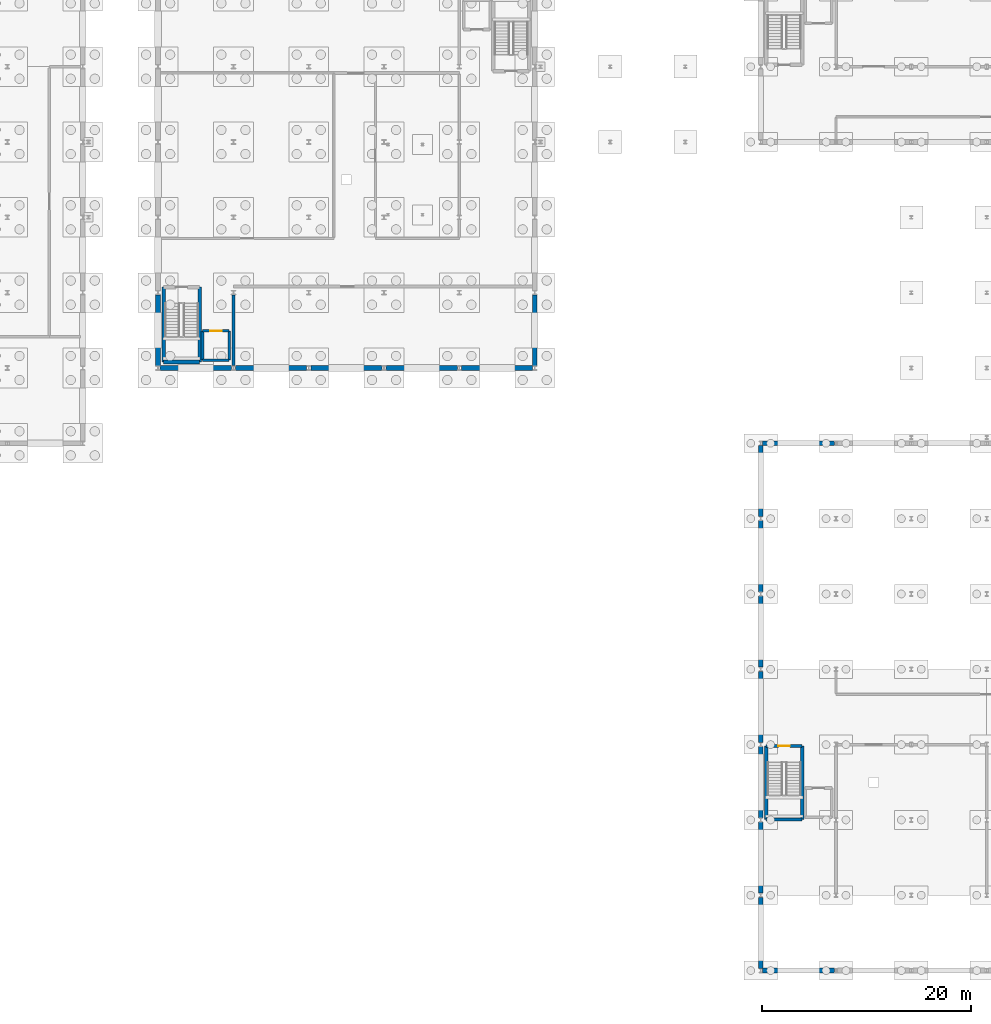
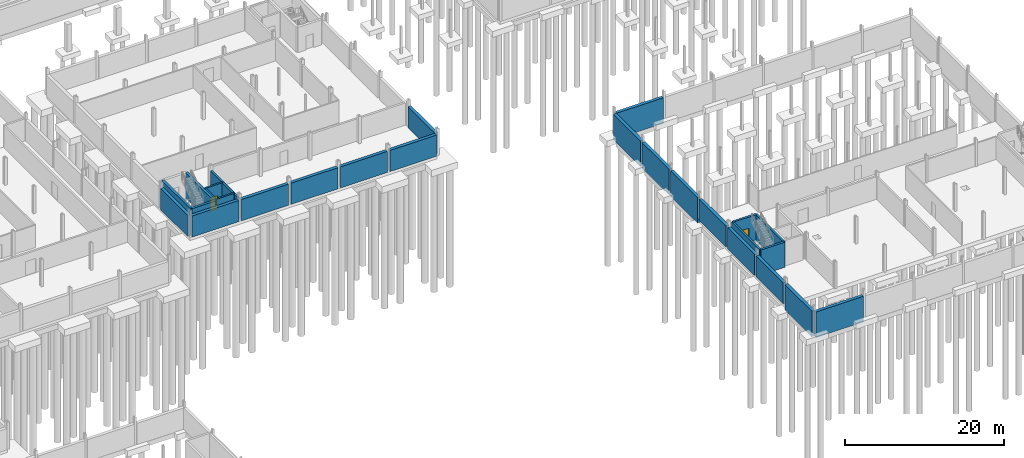
# One storey, part 36 of 50: 28 walls, 2 doors, 2 openings.
"""IFC4 building model written with IfcOpenShell, lengths in metres."""

import ifcopenshell
import ifcopenshell.guid

model = None  # the IFC model being written
_history = None  # IfcOwnerHistory: only IFC2X3 demands one
_inside = {}  # id of a spatial element -> (the spatial element, [elements in it])
_under = {}  # id of a project, library or spatial element -> (it, [spatial elements below it])
_declared = {}  # id of a project -> (the project, [libraries it declares])
_typed = {}  # id of a type object -> (the type object, [elements of that type])
_made_of = {}  # id of a material, layer set ... -> (it, [elements and type objects made of it])


def new_model(schema):
    """Start an empty IFC model of exactly this schema.

    Asked for "IFC4X3", IfcOpenShell would pick the latest addendum, in which some entities
    have other attributes; the version numbers below select the first issue.
    IFC2X3 requires an IfcOwnerHistory on every rooted entity: one is made here for all.
    """
    global model, _history
    if schema == "IFC4X3":
        model = ifcopenshell.file(schema_version=(4, 3, 0, 0))
    else:
        model = ifcopenshell.file(schema=schema)
    _inside.clear()
    _under.clear()
    _declared.clear()
    _typed.clear()
    _made_of.clear()
    _history = None
    if model.schema == "IFC2X3":
        org = make("IfcOrganization", Name="unknown")
        user = make(
            "IfcPersonAndOrganization",
            ThePerson=make("IfcPerson", FamilyName="unknown"),
            TheOrganization=org,
        )
        app = make(
            "IfcApplication",
            ApplicationDeveloper=org,
            Version="unknown",
            ApplicationFullName="unknown",
            ApplicationIdentifier="unknown",
        )
        _history = make(
            "IfcOwnerHistory",
            OwningUser=user,
            OwningApplication=app,
            ChangeAction="ADDED",
            CreationDate=0,
        )
    return model


def make(cls, **values):
    """One entity of the class cls with the attributes given. An attribute that is None is left unset."""
    return model.create_entity(
        cls, **{name: value for name, value in values.items() if value is not None}
    )


def rooted(cls, **values):
    """An entity with a GlobalId (a new one), such as an element, a storey or a relation."""
    return make(cls, GlobalId=ifcopenshell.guid.new(), OwnerHistory=_history, **values)


def si_unit(unit_type, name, prefix=None):
    """IfcSIUnit, for example si_unit("LENGTHUNIT", "METRE", prefix="MILLI")."""
    return make("IfcSIUnit", UnitType=unit_type, Prefix=prefix, Name=name)


def assignment(units):
    """IfcUnitAssignment: the units of a project."""
    return None if units is None else make("IfcUnitAssignment", Units=units)


def point(xyz):
    """IfcCartesianPoint."""
    return None if xyz is None else make("IfcCartesianPoint", Coordinates=xyz)


def direction(xyz):
    """IfcDirection."""
    return None if xyz is None else make("IfcDirection", DirectionRatios=xyz)


def frame(location, z_axis=None, x_axis=None):
    """IfcAxis2Placement3D, a coordinate frame: its origin and axes. An axis left out is left unset."""
    return make(
        "IfcAxis2Placement3D",
        Location=point(location),
        Axis=direction(z_axis),
        RefDirection=direction(x_axis),
    )


def frame_2d(location, x_axis=None):
    """IfcAxis2Placement2D, a coordinate frame in the plane: its origin and x axis."""
    return make(
        "IfcAxis2Placement2D", Location=point(location), RefDirection=direction(x_axis)
    )


def origin():
    """The frame at (0, 0, 0) with its axes left unset."""
    return frame((0.0, 0.0, 0.0))


def place(relative_to, where):
    """IfcLocalPlacement: puts the frame where relative to a parent placement (None: the world)."""
    return make(
        "IfcLocalPlacement", PlacementRelTo=relative_to, RelativePlacement=where
    )


def context(
    kind, dimensions, precision=None, world=None, true_north=None, identifier=None
):
    """IfcGeometricRepresentationContext, for example the 3D "Model" context."""
    return make(
        "IfcGeometricRepresentationContext",
        ContextIdentifier=identifier,
        ContextType=kind,
        CoordinateSpaceDimension=dimensions,
        Precision=precision,
        WorldCoordinateSystem=world,
        TrueNorth=true_north,
    )


def subcontext(parent, identifier, kind, view, scale=None):
    """IfcGeometricRepresentationSubContext, for example "Body" below "Model"."""
    return make(
        "IfcGeometricRepresentationSubContext",
        ContextIdentifier=identifier,
        ContextType=kind,
        ParentContext=parent,
        TargetScale=scale,
        TargetView=view,
    )


def project(units=None, contexts=None):
    """IfcProject with its units and contexts."""
    return rooted(
        "IfcProject",
        Name="project",
        RepresentationContexts=contexts,
        UnitsInContext=assignment(units),
    )


def spatial(cls, under=None, at=None, **own):
    """A site, building, storey or space (cls), placed at a placement, below another one or the project."""
    s = rooted(cls, ObjectPlacement=at, **own)
    if under is not None:
        _under.setdefault(under.id(), (under, []))[1].append(s)
    return s


def profile(cls, at=None, kind="AREA", **sizes):
    """A parametric profile (cls). Its sizes go by their IFC names, for example OverallWidth=200.0."""
    return make(cls, ProfileType=kind, Position=at, **sizes)


def rectangle(**sizes):
    """IfcRectangleProfileDef."""
    return profile("IfcRectangleProfileDef", **sizes)


def extrude(swept, where, along, depth):
    """IfcExtrudedAreaSolid: the profile swept, set in the frame where, extruded along a direction by depth."""
    return make(
        "IfcExtrudedAreaSolid",
        SweptArea=swept,
        Position=where,
        ExtrudedDirection=direction(along),
        Depth=depth,
    )


def shape(context_of_items, identifier, shape_type, items):
    """IfcShapeRepresentation: the items that make up one representation, for example the "Body"."""
    return make(
        "IfcShapeRepresentation",
        ContextOfItems=context_of_items,
        RepresentationIdentifier=identifier,
        RepresentationType=shape_type,
        Items=items,
    )


def material(Name=None, Category=None):
    """IfcMaterial."""
    return make("IfcMaterial", Name=Name, Category=Category)


def layer(
    of_material, thickness, ventilated=None, Name=None, Category=None, Priority=None
):
    """IfcMaterialLayer: one layer of a wall or slab, of a material (None: an air gap)."""
    return make(
        "IfcMaterialLayer",
        Material=of_material,
        LayerThickness=thickness,
        IsVentilated=ventilated,
        Name=Name,
        Category=Category,
        Priority=Priority,
    )


def layer_set(layers, Name=None):
    """IfcMaterialLayerSet."""
    return make("IfcMaterialLayerSet", MaterialLayers=layers, LayerSetName=Name)


def made_of(thing, what):
    """Note that an element or type object is made of a material, layer set ...; save() writes the relation."""
    if what is not None:
        _made_of.setdefault(what.id(), (what, []))[1].append(thing)
    return thing


def type_object(cls, material=None, **own):
    """A type object (cls), such as IfcWallType, which elements share."""
    return made_of(rooted(cls, **own), material)


def element(
    cls,
    number,
    at=None,
    inside=None,
    cuts=None,
    type_object=None,
    material=None,
    context=None,
    identifier="Body",
    shape_type=None,
    held_by="IfcProductDefinitionShape",
    body=None,
    shapes=None,
    **own,
):
    """One element of the class cls, such as IfcWall. Its Tag is "e" and its number.

    at: its placement. inside: the storey or other place that contains it. cuts: it is an
    opening in that element (IfcRelVoidsElement). A single representation is given by context,
    identifier, shape_type and body (its items); several are given by shapes. held_by: the class
    of the entity that holds the representations. save() writes the other relations.
    """
    e = rooted(cls, Tag="e%d" % number, ObjectPlacement=at, **own)
    if body is not None:
        shapes = [shape(context, identifier, shape_type, body)]
    if shapes is not None:
        e.Representation = make(held_by, Representations=shapes)
    if inside is not None:
        _inside.setdefault(inside.id(), (inside, []))[1].append(e)
    if cuts is not None:
        rooted(
            "IfcRelVoidsElement", RelatingBuildingElement=cuts, RelatedOpeningElement=e
        )
    if type_object is not None:
        _typed.setdefault(type_object.id(), (type_object, []))[1].append(e)
    return made_of(e, material)


def fill(opening, filler):
    """IfcRelFillsElement: the door or window that sits in an opening."""
    return rooted(
        "IfcRelFillsElement",
        RelatingOpeningElement=opening,
        RelatedBuildingElement=filler,
    )


def aggregate(whole, parts):
    """IfcRelAggregates: a whole, such as a stair, and the parts it consists of."""
    return rooted("IfcRelAggregates", RelatingObject=whole, RelatedObjects=parts)


def save(model, path):
    """Write the relations noted so far, then the file.

    IfcRelAggregates (storeys below a building ...), IfcRelContainedInSpatialStructure (elements
    in a storey), IfcRelDefinesByType, IfcRelAssociatesMaterial and IfcRelDeclares: one each for
    every whole, place, type object, material and project.
    """
    for whole, parts in _under.values():
        aggregate(whole, parts)
    for where, things in _inside.values():
        rooted(
            "IfcRelContainedInSpatialStructure",
            RelatedElements=things,
            RelatingStructure=where,
        )
    for kind, things in _typed.values():
        rooted("IfcRelDefinesByType", RelatedObjects=things, RelatingType=kind)
    for what, things in _made_of.values():
        rooted("IfcRelAssociatesMaterial", RelatedObjects=things, RelatingMaterial=what)
    for by, libraries in _declared.values():
        rooted("IfcRelDeclares", RelatingContext=by, RelatedDefinitions=libraries)
    model.write(path)


model = new_model("IFC4")

# Units and contexts
model_context = context("Model", 3, precision=1e-05, world=origin(), true_north=direction((0.0, 1.0)))
body_context = subcontext(model_context, "Body", "Model", "MODEL_VIEW")
ifc_project = project(units=[si_unit("LENGTHUNIT", "METRE"), si_unit("AREAUNIT", "SQUARE_METRE"), si_unit("VOLUMEUNIT", "CUBIC_METRE"), si_unit("PLANEANGLEUNIT", "RADIAN"), si_unit("MASSUNIT", "GRAM", prefix="KILO")], contexts=[model_context])

# Site, building, storey
site_placement = place(None, origin())
site = spatial("IfcSite", under=ifc_project, at=site_placement, CompositionType="ELEMENT")
building_placement = place(site_placement, origin())
building = spatial("IfcBuilding", under=site, at=building_placement, Name="Narikvali Park Central Library", CompositionType="ELEMENT")
storey_placement = place(building_placement, frame((0.0, 0.0, -4.199951171875)))
storey = spatial("IfcBuildingStorey", under=building, at=storey_placement, Name="B1", CompositionType="ELEMENT", Elevation=-4.199951171875)

# Walls
ifc_material_1 = material(Name="Concrete C35/45", Category="concrete")
ifc_layer_1 = layer(ifc_material_1, 0.449951171875, Name="Concrete C35/45")
ifc_layer_set_1 = layer_set([ifc_layer_1], Name="Concrete C35/45")
wall_type_1 = type_object("IfcWallType", Name="Basement Perimeter Retaining Wall 450", PredefinedType="USERDEFINED", material=ifc_layer_set_1)
for number, where, z_axis, x_axis, name in (
    (1, (65.00048828125, 57.60009765625, 0.0), (0.0, 0.0, 1.0), (1.0, 0.0, 0.0), "V1 B1 Retaining Wall S"),
    (2, (72.200439453125, 57.60009765625, 0.0), (0.0, 0.0, 1.0), (1.0, 0.0, 0.0), "V1 B1 Retaining Wall S"),
    (3, (79.400390625, 57.60009765625, 0.0), (0.0, 0.0, 1.0), (1.0, 0.0, 0.0), "V1 B1 Retaining Wall S"),
):
    element("IfcWall", number, at=place(storey_placement, frame(where, z_axis=z_axis, x_axis=x_axis)), inside=storey, type_object=wall_type_1, Name=name, ObjectType="RETAINING WALL", PredefinedType="USERDEFINED", context=body_context, shape_type="SweptSolid", body=[
        extrude(rectangle(XDim=6.799072265625, YDim=0.449951171875, at=frame_2d((3.3994140625, 0.0))), origin(), (0.0, 0.0, 1.0), 3.260009765625),
    ])
wall_1_placement = place(storey_placement, frame((86.6005859375, 57.60009765625, 0.0), z_axis=(0.0, 0.0, 1.0), x_axis=(1.0, 0.0, 0.0)))
element("IfcWall", 4, at=wall_1_placement, inside=storey, type_object=wall_type_1, Name="V1 B1 Retaining Wall S", ObjectType="RETAINING WALL", PredefinedType="USERDEFINED", context=body_context, shape_type="SweptSolid", body=[
    extrude(rectangle(XDim=6.798828125, YDim=0.449951171875, at=frame_2d((3.3994140625, 0.0))), origin(), (0.0, 0.0, 1.0), 3.260009765625),
])
wall_2_placement = place(storey_placement, frame((93.800537109375, 57.60009765625, 0.0), z_axis=(0.0, 0.0, 1.0), x_axis=(1.0, 0.0, 0.0)))
element("IfcWall", 5, at=wall_2_placement, inside=storey, type_object=wall_type_1, Name="V1 B1 Retaining Wall S", ObjectType="RETAINING WALL", PredefinedType="USERDEFINED", context=body_context, shape_type="SweptSolid", body=[
    extrude(rectangle(XDim=6.799072265625, YDim=0.449951171875, at=frame_2d((3.3994140625, 0.0))), origin(), (0.0, 0.0, 1.0), 3.260009765625),
])
for number, where, z_axis, x_axis, name in (
    (6, (64.800048828125, 57.799560546875, 0.0), (0.0, 0.0, 1.0), (0.0, 1.0, 0.0), "V1 B1 Retaining Wall W"),
    (7, (100.800048828125, 57.799560546875, 0.0), (0.0, 0.0, 1.0), (0.0, 1.0, 0.0), "V1 B1 Retaining Wall E"),
):
    element("IfcWall", number, at=place(storey_placement, frame(where, z_axis=z_axis, x_axis=x_axis)), inside=storey, type_object=wall_type_1, Name=name, ObjectType="RETAINING WALL", PredefinedType="USERDEFINED", context=body_context, shape_type="SweptSolid", body=[
        extrude(rectangle(XDim=6.801025390625, YDim=0.449951171875, at=frame_2d((3.400390625, 0.0))), origin(), (0.0, 0.0, 1.0), 3.260009765625),
    ])
for number, where, z_axis, x_axis, name in (
    (8, (122.553955078125, 0.0, -0.679931640625), (0.0, 0.0, 1.0), (1.0, 0.0, 0.0), "V6 B1 Retaining Wall S"),
    (9, (122.553955078125, 50.39990234375, -0.679931640625), (0.0, 0.0, 1.0), (1.0, 0.0, 0.0), "V6 B1 Retaining Wall N"),
):
    element("IfcWall", number, at=place(storey_placement, frame(where, z_axis=z_axis, x_axis=x_axis)), inside=storey, type_object=wall_type_1, Name=name, ObjectType="RETAINING WALL", PredefinedType="USERDEFINED", context=body_context, shape_type="SweptSolid", body=[
        extrude(rectangle(XDim=6.89208984375, YDim=0.449951171875, at=frame_2d((3.446044921875, 0.0))), origin(), (0.0, 0.0, 1.0), 3.93994140625),
    ])
wall_3_placement = place(storey_placement, frame((122.39990234375, 0.197509765625, -0.679931640625), z_axis=(0.0, 0.0, 1.0), x_axis=(0.0, 1.0, 0.0)))
element("IfcWall", 10, at=wall_3_placement, inside=storey, type_object=wall_type_1, Name="V6 B1 Retaining Wall W", ObjectType="RETAINING WALL", PredefinedType="USERDEFINED", context=body_context, shape_type="SweptSolid", body=[
    extrude(rectangle(XDim=6.804931640625, YDim=0.449951171875, at=frame_2d((3.40234375, 0.0))), origin(), (0.0, 0.0, 1.0), 3.93994140625),
])
wall_4_placement = place(storey_placement, frame((122.39990234375, 7.3974609375, 0.0), z_axis=(0.0, 0.0, 1.0), x_axis=(0.0, 1.0, 0.0)))
element("IfcWall", 11, at=wall_4_placement, inside=storey, type_object=wall_type_1, Name="V6 B1 Retaining Wall W", ObjectType="RETAINING WALL", PredefinedType="USERDEFINED", context=body_context, shape_type="SweptSolid", body=[
    extrude(rectangle(XDim=6.804931640625, YDim=0.449951171875, at=frame_2d((3.40234375, 0.0))), origin(), (0.0, 0.0, 1.0), 3.260009765625),
])
wall_5_placement = place(storey_placement, frame((122.39990234375, 14.597412109375, 0.0), z_axis=(0.0, 0.0, 1.0), x_axis=(0.0, 1.0, 0.0)))
element("IfcWall", 12, at=wall_5_placement, inside=storey, type_object=wall_type_1, Name="V6 B1 Retaining Wall W", ObjectType="RETAINING WALL", PredefinedType="USERDEFINED", context=body_context, shape_type="SweptSolid", body=[
    extrude(rectangle(XDim=6.80517578125, YDim=0.449951171875, at=frame_2d((3.402587890625, 0.0))), origin(), (0.0, 0.0, 1.0), 3.260009765625),
])
wall_6_placement = place(storey_placement, frame((122.39990234375, 21.797607421875, 0.0), z_axis=(0.0, 0.0, 1.0), x_axis=(0.0, 1.0, 0.0)))
element("IfcWall", 13, at=wall_6_placement, inside=storey, type_object=wall_type_1, Name="V6 B1 Retaining Wall W", ObjectType="RETAINING WALL", PredefinedType="USERDEFINED", context=body_context, shape_type="SweptSolid", body=[
    extrude(rectangle(XDim=6.804931640625, YDim=0.449951171875, at=frame_2d((3.40234375, 0.0))), origin(), (0.0, 0.0, 1.0), 3.260009765625),
])
for number, where, z_axis, x_axis, name in (
    (14, (122.39990234375, 28.99755859375, -0.679931640625), (0.0, 0.0, 1.0), (0.0, 1.0, 0.0), "V6 B1 Retaining Wall W"),
    (15, (122.39990234375, 36.197509765625, -0.679931640625), (0.0, 0.0, 1.0), (0.0, 1.0, 0.0), "V6 B1 Retaining Wall W"),
    (16, (122.39990234375, 43.3974609375, -0.679931640625), (0.0, 0.0, 1.0), (0.0, 1.0, 0.0), "V6 B1 Retaining Wall W"),
):
    element("IfcWall", number, at=place(storey_placement, frame(where, z_axis=z_axis, x_axis=x_axis)), inside=storey, type_object=wall_type_1, Name=name, ObjectType="RETAINING WALL", PredefinedType="USERDEFINED", context=body_context, shape_type="SweptSolid", body=[
        extrude(rectangle(XDim=6.804931640625, YDim=0.449951171875, at=frame_2d((3.40234375, 0.0))), origin(), (0.0, 0.0, 1.0), 3.93994140625),
    ])
ifc_material_2 = material(Name="High-Density Concrete Blockwork C35/45", Category="masonry")
ifc_layer_2 = layer(ifc_material_2, 0.27001953125, Name="High-Density Concrete Blockwork C35/45")
ifc_layer_set_2 = layer_set([ifc_layer_2], Name="High-Density Concrete Blockwork C35/45")
wall_type_2 = type_object("IfcWallType", Name="Rare Books Vault Partition Wall 270", PredefinedType="SOLIDWALL", material=ifc_layer_set_2)
wall_7_placement = place(storey_placement, frame((72.0, 57.824951171875, 0.0), z_axis=(0.0, 0.0, 1.0), x_axis=(0.0, 1.0, 0.0)))
element("IfcWall", 17, at=wall_7_placement, inside=storey, type_object=wall_type_2, Name="Municipal Historical Archive Partition W", PredefinedType="SOLIDWALL", context=body_context, shape_type="SweptSolid", body=[
    extrude(rectangle(XDim=6.767578125, YDim=0.27001953125, at=frame_2d((3.3837890625, 0.0))), origin(), (0.0, 0.0, 1.0), 3.425048828125),
])
ifc_material_3 = material(Name="Concrete C40/50", Category="concrete")
ifc_layer_3 = layer(ifc_material_3, 0.35009765625, Name="Concrete C40/50")
ifc_layer_set_3 = layer_set([ifc_layer_3], Name="Concrete C40/50")
wall_type_3 = type_object("IfcWallType", Name="Reinforced Concrete Core Shear Wall 350", PredefinedType="SHEAR", material=ifc_layer_set_3)
wall_8_placement = place(storey_placement, frame((65.330078125, 58.179931640625, 0.0), z_axis=(0.0, 0.0, 1.0), x_axis=(1.0, 0.0, 0.0)))
element("IfcWall", 18, at=wall_8_placement, inside=storey, type_object=wall_type_3, Name="C1A B1 Stair Core Shear Wall S", PredefinedType="SHEAR", context=body_context, shape_type="SweptSolid", body=[
    extrude(rectangle(XDim=3.43994140625, YDim=0.35009765625, at=frame_2d((1.719970703125, 0.0))), origin(), (0.0, 0.0, 1.0), 3.8798828125),
])
for number, where, z_axis, x_axis, name in (
    (19, (68.77001953125, 58.179931640625, 0.0), (0.0, 0.0, 1.0), (0.0, 1.0, 0.0), "C1A B1 Stair Core Shear Wall E"),
    (20, (65.330078125, 65.320068359375, 0.0), (0.0, 0.0, 1.0), (0.0, -1.0, 0.0), "C1A B1 Stair Core Shear Wall W"),
):
    element("IfcWall", number, at=place(storey_placement, frame(where, z_axis=z_axis, x_axis=x_axis)), inside=storey, type_object=wall_type_3, Name=name, PredefinedType="SHEAR", context=body_context, shape_type="SweptSolid", body=[
        extrude(rectangle(XDim=7.14013671875, YDim=0.35009765625, at=frame_2d((3.570068359375, 0.0))), origin(), (0.0, 0.0, 1.0), 3.8798828125),
    ])
ifc_layer_4 = layer(ifc_material_3, 0.25, Name="Concrete C40/50")
ifc_layer_set_4 = layer_set([ifc_layer_4], Name="Concrete C40/50")
wall_type_4 = type_object("IfcWallType", Name="Reinforced Concrete Lift Shaft Wall 250", PredefinedType="SHEAR", material=ifc_layer_set_4)
wall_9_placement = place(storey_placement, frame((69.050048828125, 58.35009765625, 0.0), z_axis=(0.0, 0.0, 1.0), x_axis=(1.0, 0.0, 0.0)))
element("IfcWall", 21, at=wall_9_placement, inside=storey, type_object=wall_type_4, Name="L-01 B1 Lift Shaft Wall S", PredefinedType="SHEAR", context=body_context, shape_type="SweptSolid", body=[
    extrude(rectangle(XDim=2.550048828125, YDim=0.25, at=frame_2d((1.27490234375, 0.0))), origin(), (0.0, 0.0, 1.0), 3.8798828125),
])
wall_10_placement = place(storey_placement, frame((71.60009765625, 58.35009765625, 0.0), z_axis=(0.0, 0.0, 1.0), x_axis=(0.0, 1.0, 0.0)))
element("IfcWall", 22, at=wall_10_placement, inside=storey, type_object=wall_type_4, Name="L-01 B1 Lift Shaft Wall E", PredefinedType="SHEAR", context=body_context, shape_type="SweptSolid", body=[
    extrude(rectangle(XDim=2.7998046875, YDim=0.25, at=frame_2d((1.39990234375, 0.0))), origin(), (0.0, 0.0, 1.0), 3.8798828125),
])

# Wall, opening, door
wall_11_placement = place(storey_placement, frame((71.60009765625, 61.14990234375, 0.0), z_axis=(0.0, 0.0, 1.0), x_axis=(-1.0, 0.0, 0.0)))
wall_11 = element("IfcWall", 23, at=wall_11_placement, inside=storey, type_object=wall_type_4, Name="L-01 B1 Lift Shaft Wall N", PredefinedType="SHEAR", context=body_context, shape_type="SweptSolid", body=[
    extrude(rectangle(XDim=2.550048828125, YDim=0.25, at=frame_2d((1.27490234375, 0.0))), origin(), (0.0, 0.0, 1.0), 3.8798828125),
])
opening_1_placement = place(wall_11_placement, frame((0.72509765625, 0.0, 0.0)))
opening_1 = element("IfcOpeningElement", 24, at=opening_1_placement, cuts=wall_11, Name="Opening LD-001", PredefinedType="OPENING", context=body_context, shape_type="SweptSolid", body=[
    extrude(rectangle(XDim=1.10009765625, YDim=2.10009765625, at=frame_2d((0.550048828125, 1.050048828125))), frame((0.0, 0.136962890625, 0.0), z_axis=(0.0, -1.0, 0.0), x_axis=(1.0, 0.0, 0.0)), (0.0, 0.0, 1.0), 0.27392578125),
])
ifc_material_4 = material(Name="Brushed Stainless Steel S355", Category="steel")
door_type_1 = type_object("IfcDoorType", Name="Passenger Lift Sliding Landing Door 1100x2100", OperationType="SLIDING_TO_LEFT", PredefinedType="DOOR", material=ifc_material_4)
door_1_placement = place(opening_1_placement, origin())
door_1 = element("IfcDoor", 25, at=door_1_placement, inside=storey, type_object=door_type_1, Name="L-01 B1 Lift Landing Sliding Door LD-001", OperationType="SLIDING_TO_LEFT", OverallHeight=2.10009765625, OverallWidth=1.10009765625, PredefinedType="DOOR", context=body_context, shape_type="SweptSolid", body=[
    extrude(rectangle(XDim=1.10009765625, YDim=2.10009765625, at=frame_2d((0.550048828125, 1.050048828125))), frame((0.0, 0.02490234375, 0.0), z_axis=(0.0, -1.0, 0.0), x_axis=(1.0, 0.0, 0.0)), (0.0, 0.0, 1.0), 0.050048828125),
])
fill(opening_1, door_1)

# Walls
wall_12_placement = place(storey_placement, frame((69.050048828125, 61.14990234375, 0.0), z_axis=(0.0, 0.0, 1.0), x_axis=(0.0, -1.0, 0.0)))
element("IfcWall", 26, at=wall_12_placement, inside=storey, type_object=wall_type_4, Name="L-01 B1 Lift Shaft Wall W", PredefinedType="SHEAR", context=body_context, shape_type="SweptSolid", body=[
    extrude(rectangle(XDim=2.7998046875, YDim=0.25, at=frame_2d((1.39990234375, 0.0))), origin(), (0.0, 0.0, 1.0), 3.8798828125),
])
ifc_layer_5 = layer(ifc_material_3, 0.300048828125, Name="Concrete C40/50")
ifc_layer_set_5 = layer_set([ifc_layer_5], Name="Concrete C40/50")
wall_type_5 = type_object("IfcWallType", Name="Reinforced Concrete Shear Wall 300", PredefinedType="SHEAR", material=ifc_layer_set_5)
wall_13_placement = place(storey_placement, frame((122.929931640625, 14.429931640625, 0.0), z_axis=(0.0, 0.0, 1.0), x_axis=(1.0, 0.0, 0.0)))
element("IfcWall", 27, at=wall_13_placement, inside=storey, type_object=wall_type_5, Name="C6A B1 Stair Core Shear Wall S", PredefinedType="SHEAR", context=body_context, shape_type="SweptSolid", body=[
    extrude(rectangle(XDim=3.440185546875, YDim=0.300048828125, at=frame_2d((1.72021484375, 0.0))), origin(), (0.0, 0.0, 1.0), 3.8798828125),
])
wall_14_placement = place(storey_placement, frame((126.3701171875, 14.429931640625, 0.0), z_axis=(0.0, 0.0, 1.0), x_axis=(0.0, 1.0, 0.0)))
element("IfcWall", 28, at=wall_14_placement, inside=storey, type_object=wall_type_5, Name="C6A B1 Stair Core Shear Wall E", PredefinedType="SHEAR", context=body_context, shape_type="SweptSolid", body=[
    extrude(rectangle(XDim=7.0400390625, YDim=0.300048828125, at=frame_2d((3.52001953125, 0.0))), origin(), (0.0, 0.0, 1.0), 3.8798828125),
])

# Wall, opening, door
wall_15_placement = place(storey_placement, frame((126.3701171875, 21.469970703125, 0.0), z_axis=(0.0, 0.0, 1.0), x_axis=(-1.0, 0.0, 0.0)))
wall_15 = element("IfcWall", 29, at=wall_15_placement, inside=storey, type_object=wall_type_5, Name="C6A B1 Stair Core Shear Wall N", PredefinedType="SHEAR", context=body_context, shape_type="SweptSolid", body=[
    extrude(rectangle(XDim=3.440185546875, YDim=0.300048828125, at=frame_2d((1.72021484375, 0.0))), origin(), (0.0, 0.0, 1.0), 3.8798828125),
])
opening_2_placement = place(wall_15_placement, frame((1.169921875, 0.0, 0.0)))
opening_2 = element("IfcOpeningElement", 30, at=opening_2_placement, cuts=wall_15, Name="Opening SD-057", PredefinedType="OPENING", context=body_context, shape_type="SweptSolid", body=[
    extrude(rectangle(XDim=1.10009765625, YDim=2.14990234375, at=frame_2d((0.550048828125, 1.074951171875))), frame((0.0, 0.162109375, 0.0), z_axis=(0.0, -1.0, 0.0), x_axis=(1.0, 0.0, 0.0)), (0.0, 0.0, 1.0), 0.323974609375),
])
ifc_material_5 = material(Name="Powder-Coated Steel S275 Fire Leaf", Category="steel")
door_type_2 = type_object("IfcDoorType", Name="Stair Core Smoke-Control Fire Door 1100x2150", OperationType="SINGLE_SWING_LEFT", PredefinedType="DOOR", material=ifc_material_5)
door_2_placement = place(opening_2_placement, frame((1.10009765625, 0.0, 0.0), z_axis=(0.0, 0.0, 1.0), x_axis=(-1.0, 0.0, 0.0)))
door_2 = element("IfcDoor", 31, at=door_2_placement, inside=storey, type_object=door_type_2, Name="ST-11 B1 Stair Exit Door SD-057", OperationType="SINGLE_SWING_LEFT", OverallHeight=2.14990234375, OverallWidth=1.10009765625, PredefinedType="DOOR", context=body_context, shape_type="SweptSolid", body=[
    extrude(rectangle(XDim=1.10009765625, YDim=2.14990234375, at=frame_2d((0.550048828125, 1.074951171875))), frame((0.0, 0.02490234375, 0.0), z_axis=(0.0, -1.0, 0.0), x_axis=(1.0, 0.0, 0.0)), (0.0, 0.0, 1.0), 0.050048828125),
])
fill(opening_2, door_2)

# Wall
wall_16_placement = place(storey_placement, frame((122.929931640625, 21.469970703125, 0.0), z_axis=(0.0, 0.0, 1.0), x_axis=(0.0, -1.0, 0.0)))
element("IfcWall", 32, at=wall_16_placement, inside=storey, type_object=wall_type_5, Name="C6A B1 Stair Core Shear Wall W", PredefinedType="SHEAR", context=body_context, shape_type="SweptSolid", body=[
    extrude(rectangle(XDim=7.0400390625, YDim=0.300048828125, at=frame_2d((3.52001953125, 0.0))), origin(), (0.0, 0.0, 1.0), 3.8798828125),
])

save(model, "model.ifc")
